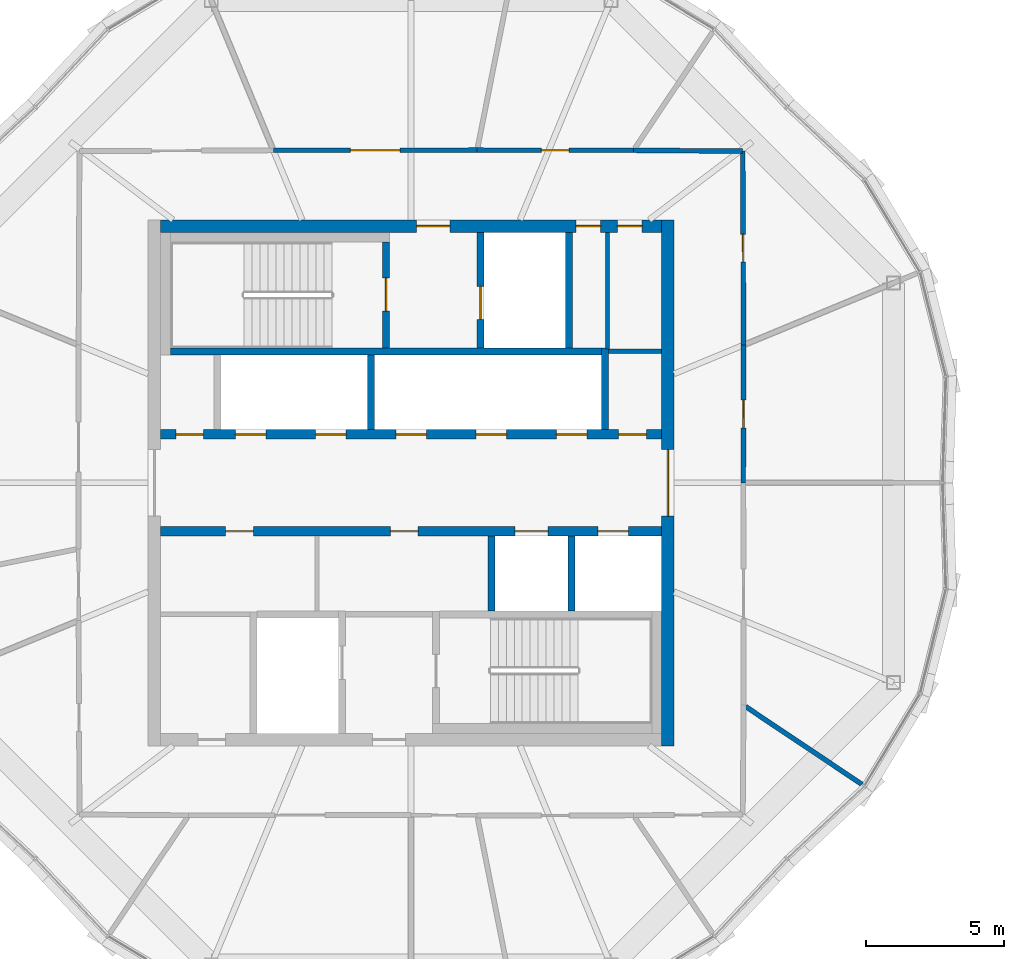
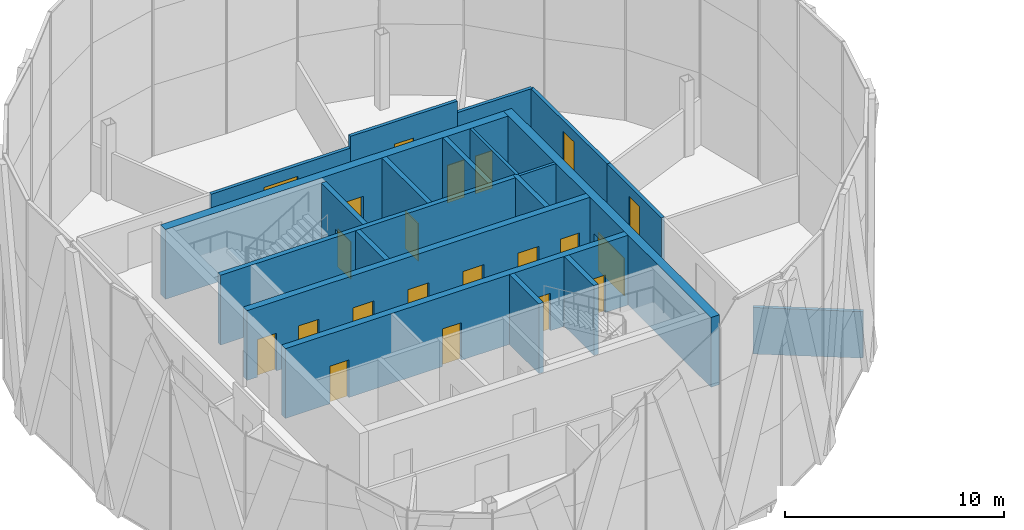
# One storey, part 17 of 23: 21 doors, 20 walls, 21 openings.
"""IFC4 building model written with IfcOpenShell, lengths in metres."""

from ifc_helpers import new_model, si_unit, direction, frame, frame_2d, origin, place, context, subcontext, project, spatial, rectangle, extrude, material, layer, layer_set, type_object, element, fill, save


model = new_model("IFC4")

# Units and contexts
model_context = context("Model", 3, precision=1e-05, world=origin(), true_north=direction((0.0, 1.0)))
body_context = subcontext(model_context, "Body", "Model", "MODEL_VIEW")
ifc_project = project(units=[si_unit("LENGTHUNIT", "METRE"), si_unit("AREAUNIT", "SQUARE_METRE"), si_unit("VOLUMEUNIT", "CUBIC_METRE"), si_unit("PLANEANGLEUNIT", "RADIAN"), si_unit("MASSUNIT", "GRAM", prefix="KILO")], contexts=[model_context])

# Site, building, storey
site_placement = place(None, origin())
site = spatial("IfcSite", under=ifc_project, at=site_placement, CompositionType="ELEMENT")
building_placement = place(site_placement, origin())
building = spatial("IfcBuilding", under=site, at=building_placement, Name="Ogive Gate Towers", CompositionType="ELEMENT")
storey_placement = place(building_placement, frame((0.0, 0.0, 256.199951171875)))
storey = spatial("IfcBuildingStorey", under=building, at=storey_placement, Name="L60", CompositionType="ELEMENT", Elevation=256.199951171875)

# Wall
ifc_material_1 = material(Name="Gypsum board acoustic partition")
ifc_layer_1 = layer(ifc_material_1, 0.175048828125)
ifc_layer_set_1 = layer_set([ifc_layer_1], Name="Acoustic partition 175")
wall_type_1 = type_object("IfcWallType", Name="Acoustic partition 175", PredefinedType="PARTITIONING", material=ifc_layer_set_1)
wall_1_placement = place(storey_placement, frame((-19.708740234375, -10.896484375, 0.0), z_axis=(0.0, 0.0, 1.0), x_axis=(-0.831203340833, 0.555968529854, 0.0)))
element("IfcWall", 1, at=wall_1_placement, inside=storey, type_object=wall_type_1, Name="Partition T1-L60-013", PredefinedType="PARTITIONING", context=body_context, shape_type="SweptSolid", body=[
    extrude(rectangle(XDim=5.061279296875, YDim=0.175048828125, at=frame_2d((2.53076171875, 0.0))), origin(), (0.0, 0.0, 1.0), 2.60009765625),
])

# Wall, opening, door
wall_2_placement = place(storey_placement, frame((-24.0, 0.0, 0.0), z_axis=(0.0, 0.0, 1.0), x_axis=(0.002306289563, 0.999997340511, 0.0)))
wall_2 = element("IfcWall", 2, at=wall_2_placement, inside=storey, type_object=wall_type_1, Name="Partition T1-L60-019", PredefinedType="PARTITIONING", context=body_context, shape_type="SweptSolid", body=[
    extrude(rectangle(XDim=4.975341796875, YDim=0.175048828125, at=frame_2d((2.48779296875, 0.0))), origin(), (0.0, 0.0, 1.0), 2.699951171875),
])
opening_1_placement = place(wall_2_placement, frame((1.988037109375, 0.0, 0.0)))
opening_1 = element("IfcOpeningElement", 3, at=opening_1_placement, cuts=wall_2, Name="Opening T1-L60-D05", PredefinedType="OPENING", context=body_context, shape_type="SweptSolid", body=[
    extrude(rectangle(XDim=1.0, YDim=2.10009765625, at=frame_2d((0.5, 1.050048828125))), frame((0.0, 0.09765625, 0.0), z_axis=(0.0, -1.0, 0.0), x_axis=(1.0, 0.0, 0.0)), (0.0, 0.0, 1.0), 0.195068359375),
])
ifc_material_2 = material(Name="Timber door", Category="wood")
door_type_1 = type_object("IfcDoorType", Name="Door 1000", OperationType="NOTDEFINED", PredefinedType="DOOR", material=ifc_material_2)
door_1_placement = place(opening_1_placement, origin())
door_1 = element("IfcDoor", 4, at=door_1_placement, inside=storey, type_object=door_type_1, Name="Door T1-L60-D05", OperationType="SINGLE_SWING_RIGHT", OverallHeight=2.10009765625, OverallWidth=1.0, PredefinedType="DOOR", context=body_context, shape_type="SweptSolid", body=[
    extrude(rectangle(XDim=1.0, YDim=2.10009765625, at=frame_2d((0.5, 1.050048828125))), frame((0.0, 0.02490234375, 0.0), z_axis=(0.0, -1.0, 0.0), x_axis=(1.0, 0.0, 0.0)), (0.0, 0.0, 1.0), 0.050048828125),
])
fill(opening_1, door_1)

wall_3_placement = place(storey_placement, frame((-23.988525390625, 4.975341796875, 0.0), z_axis=(0.0, 0.0, 1.0), x_axis=(-0.004496138026, 0.99998989232, 0.0)))
wall_3 = element("IfcWall", 5, at=wall_3_placement, inside=storey, type_object=wall_type_1, Name="Partition T1-L60-020", PredefinedType="PARTITIONING", context=body_context, shape_type="SweptSolid", body=[
    extrude(rectangle(XDim=7.004638671875, YDim=0.175048828125, at=frame_2d((3.50244140625, 0.0))), origin(), (0.0, 0.0, 1.0), 2.699951171875),
])
opening_2_placement = place(wall_3_placement, frame((3.001953125, 0.0, 0.0)))
opening_2 = element("IfcOpeningElement", 6, at=opening_2_placement, cuts=wall_3, Name="Opening T1-L60-D06", PredefinedType="OPENING", context=body_context, shape_type="SweptSolid", body=[
    extrude(rectangle(XDim=1.0, YDim=2.10009765625, at=frame_2d((0.5, 1.050048828125))), frame((0.0, 0.09765625, 0.0), z_axis=(0.0, -1.0, 0.0), x_axis=(1.0, 0.0, 0.0)), (0.0, 0.0, 1.0), 0.195068359375),
])
door_2_placement = place(opening_2_placement, origin())
door_2 = element("IfcDoor", 7, at=door_2_placement, inside=storey, type_object=door_type_1, Name="Door T1-L60-D06", OperationType="SINGLE_SWING_LEFT", OverallHeight=2.10009765625, OverallWidth=1.0, PredefinedType="DOOR", context=body_context, shape_type="SweptSolid", body=[
    extrude(rectangle(XDim=1.0, YDim=2.10009765625, at=frame_2d((0.5, 1.050048828125))), frame((0.0, 0.02490234375, 0.0), z_axis=(0.0, -1.0, 0.0), x_axis=(1.0, 0.0, 0.0)), (0.0, 0.0, 1.0), 0.050048828125),
])
fill(opening_2, door_2)

# Wall
wall_4_placement = place(storey_placement, frame((-24.02001953125, 11.97998046875, 0.0), z_axis=(0.0, 0.0, 1.0), x_axis=(-0.999968151812, 0.007980937424, 0.0)))
element("IfcWall", 8, at=wall_4_placement, inside=storey, type_object=wall_type_1, Name="Partition T1-L60-021", PredefinedType="PARTITIONING", context=body_context, shape_type="SweptSolid", body=[
    extrude(rectangle(XDim=3.9462890625, YDim=0.175048828125, at=frame_2d((1.97314453125, 0.0))), origin(), (0.0, 0.0, 1.0), 2.699951171875),
])

# Wall, opening, door
wall_5_placement = place(storey_placement, frame((-27.966064453125, 12.011474609375, 0.0), z_axis=(0.0, 0.0, 1.0), x_axis=(-0.999999626489, 0.000864303912, 0.0)))
wall_5 = element("IfcWall", 9, at=wall_5_placement, inside=storey, type_object=wall_type_1, Name="Partition T1-L60-022", PredefinedType="PARTITIONING", context=body_context, shape_type="SweptSolid", body=[
    extrude(rectangle(XDim=5.6494140625, YDim=0.175048828125, at=frame_2d((2.82470703125, 0.0))), origin(), (0.0, 0.0, 1.0), 3.35009765625),
])
opening_3_placement = place(wall_5_placement, frame((2.324951171875, 0.0, 0.0)))
opening_3 = element("IfcOpeningElement", 10, at=opening_3_placement, cuts=wall_5, Name="Opening T1-L60-D07", PredefinedType="OPENING", context=body_context, shape_type="SweptSolid", body=[
    extrude(rectangle(XDim=1.0, YDim=2.10009765625, at=frame_2d((0.5, 1.050048828125))), frame((0.0, 0.09765625, 0.0), z_axis=(0.0, -1.0, 0.0), x_axis=(1.0, 0.0, 0.0)), (0.0, 0.0, 1.0), 0.195068359375),
])
door_3_placement = place(opening_3_placement, origin())
door_3 = element("IfcDoor", 11, at=door_3_placement, inside=storey, type_object=door_type_1, Name="Door T1-L60-D07", OperationType="SINGLE_SWING_LEFT", OverallHeight=2.10009765625, OverallWidth=1.0, PredefinedType="DOOR", context=body_context, shape_type="SweptSolid", body=[
    extrude(rectangle(XDim=1.0, YDim=2.10009765625, at=frame_2d((0.5, 1.050048828125))), frame((0.0, 0.02490234375, 0.0), z_axis=(0.0, -1.0, 0.0), x_axis=(1.0, 0.0, 0.0)), (0.0, 0.0, 1.0), 0.050048828125),
])
fill(opening_3, door_3)

wall_6_placement = place(storey_placement, frame((-33.615478515625, 12.016357421875, 0.0), z_axis=(0.0, 0.0, 1.0), x_axis=(-0.999999779925, -0.000663437789, 0.0)))
wall_6 = element("IfcWall", 12, at=wall_6_placement, inside=storey, type_object=wall_type_1, Name="Partition T1-L60-023", PredefinedType="PARTITIONING", context=body_context, shape_type="SweptSolid", body=[
    extrude(rectangle(XDim=7.35986328125, YDim=0.175048828125, at=frame_2d((3.679931640625, 0.0))), origin(), (0.0, 0.0, 1.0), 2.699951171875),
])
opening_4_placement = place(wall_6_placement, frame((2.780029296875, 0.0, 0.0)))
opening_4 = element("IfcOpeningElement", 13, at=opening_4_placement, cuts=wall_6, Name="Opening T1-L60-D08", PredefinedType="OPENING", context=body_context, shape_type="SweptSolid", body=[
    extrude(rectangle(XDim=1.800048828125, YDim=2.10009765625, at=frame_2d((0.89990234375, 1.050048828125))), frame((0.0, 0.09765625, 0.0), z_axis=(0.0, -1.0, 0.0), x_axis=(1.0, 0.0, 0.0)), (0.0, 0.0, 1.0), 0.195068359375),
])
door_type_2 = type_object("IfcDoorType", Name="Door pair 1800", OperationType="NOTDEFINED", PredefinedType="DOOR", material=ifc_material_2)
door_4_placement = place(opening_4_placement, origin())
door_4 = element("IfcDoor", 14, at=door_4_placement, inside=storey, type_object=door_type_2, Name="Door T1-L60-D08", OperationType="DOUBLE_DOOR_DOUBLE_SWING", OverallHeight=2.10009765625, OverallWidth=1.800048828125, PredefinedType="DOOR", context=body_context, shape_type="SweptSolid", body=[
    extrude(rectangle(XDim=1.800048828125, YDim=2.10009765625, at=frame_2d((0.89990234375, 1.050048828125))), frame((0.0, 0.02490234375, 0.0), z_axis=(0.0, -1.0, 0.0), x_axis=(1.0, 0.0, 0.0)), (0.0, 0.0, 1.0), 0.050048828125),
])
fill(opening_4, door_4)

# Wall, openings, doors
ifc_material_3 = material(Name="Concrete C60/75", Category="concrete")
ifc_layer_2 = layer(ifc_material_3, 0.449951171875)
ifc_layer_set_2 = layer_set([ifc_layer_2], Name="Core wall 450 mm")
wall_type_2 = type_object("IfcWallType", Name="Core wall 450 mm", PredefinedType="SHEAR", material=ifc_layer_set_2)
wall_7_placement = place(storey_placement, frame((-45.050048828125, 9.27490234375, 0.0), z_axis=(0.0, 0.0, 1.0), x_axis=(1.0, 0.0, 0.0)))
wall_7 = element("IfcWall", 15, at=wall_7_placement, inside=storey, type_object=wall_type_2, Name="T1 L60 Core wall 450 mm", PredefinedType="SHEAR", context=body_context, shape_type="SweptSolid", body=[
    extrude(rectangle(XDim=18.10009765625, YDim=0.449951171875, at=frame_2d((9.050048828125, 0.0))), origin(), (0.0, 0.0, 1.0), 3.900146484375),
])
opening_5_placement = place(wall_7_placement, frame((9.25, 0.0, 0.0)))
opening_5 = element("IfcOpeningElement", 16, at=opening_5_placement, cuts=wall_7, Name="Opening KD-T1-L60-18", PredefinedType="OPENING", context=body_context, shape_type="SweptSolid", body=[
    extrude(rectangle(XDim=1.199951171875, YDim=2.10009765625, at=frame_2d((0.60009765625, 1.050048828125))), frame((0.0, 0.23486328125, 0.0), z_axis=(0.0, -1.0, 0.0), x_axis=(1.0, 0.0, 0.0)), (0.0, 0.0, 1.0), 0.469970703125),
])
opening_6_placement = place(wall_7_placement, frame((15.0, 0.0, 0.0)))
opening_6 = element("IfcOpeningElement", 17, at=opening_6_placement, cuts=wall_7, Name="Opening KD-T1-L60-20", PredefinedType="OPENING", context=body_context, shape_type="SweptSolid", body=[
    extrude(rectangle(XDim=0.89990234375, YDim=2.10009765625, at=frame_2d((0.449951171875, 1.050048828125))), frame((0.0, 0.23486328125, 0.0), z_axis=(0.0, -1.0, 0.0), x_axis=(1.0, 0.0, 0.0)), (0.0, 0.0, 1.0), 0.469970703125),
])
opening_7_placement = place(wall_7_placement, frame((16.5, 0.0, 0.0)))
opening_7 = element("IfcOpeningElement", 18, at=opening_7_placement, cuts=wall_7, Name="Opening KD-T1-L60-21", PredefinedType="OPENING", context=body_context, shape_type="SweptSolid", body=[
    extrude(rectangle(XDim=0.89990234375, YDim=2.10009765625, at=frame_2d((0.449951171875, 1.050048828125))), frame((0.0, 0.23486328125, 0.0), z_axis=(0.0, -1.0, 0.0), x_axis=(1.0, 0.0, 0.0)), (0.0, 0.0, 1.0), 0.469970703125),
])
door_type_3 = type_object("IfcDoorType", Name="Core WC door 900 x 2100", OperationType="NOTDEFINED", PredefinedType="DOOR", material=ifc_material_2)
door_5_placement = place(opening_6_placement, origin())
door_5 = element("IfcDoor", 19, at=door_5_placement, inside=storey, type_object=door_type_3, Name="T1 L60 Core door", OperationType="SINGLE_SWING_LEFT", OverallHeight=2.10009765625, OverallWidth=0.89990234375, PredefinedType="DOOR", context=body_context, shape_type="SweptSolid", body=[
    extrude(rectangle(XDim=0.89990234375, YDim=2.10009765625, at=frame_2d((0.449951171875, 1.050048828125))), frame((0.0, 0.02490234375, 0.0), z_axis=(0.0, -1.0, 0.0), x_axis=(1.0, 0.0, 0.0)), (0.0, 0.0, 1.0), 0.050048828125),
])
fill(opening_6, door_5)
door_6_placement = place(opening_7_placement, origin())
door_6 = element("IfcDoor", 20, at=door_6_placement, inside=storey, type_object=door_type_3, Name="T1 L60 Core door", OperationType="SINGLE_SWING_RIGHT", OverallHeight=2.10009765625, OverallWidth=0.89990234375, PredefinedType="DOOR", context=body_context, shape_type="SweptSolid", body=[
    extrude(rectangle(XDim=0.89990234375, YDim=2.10009765625, at=frame_2d((0.449951171875, 1.050048828125))), frame((0.0, 0.02490234375, 0.0), z_axis=(0.0, -1.0, 0.0), x_axis=(1.0, 0.0, 0.0)), (0.0, 0.0, 1.0), 0.050048828125),
])
fill(opening_7, door_6)
ifc_material_4 = material(Name="Steel fire door", Category="steel")
door_type_4 = type_object("IfcDoorType", Name="Core door FD60S 1200 x 2100", OperationType="NOTDEFINED", PredefinedType="DOOR", material=ifc_material_4)
door_7_placement = place(opening_5_placement, origin())
door_7 = element("IfcDoor", 21, at=door_7_placement, inside=storey, type_object=door_type_4, Name="T1 L60 Fire-fighting lobby door", OperationType="SINGLE_SWING_LEFT", OverallHeight=2.10009765625, OverallWidth=1.199951171875, PredefinedType="DOOR", context=body_context, shape_type="SweptSolid", body=[
    extrude(rectangle(XDim=1.199951171875, YDim=2.10009765625, at=frame_2d((0.60009765625, 1.050048828125))), frame((0.0, 0.02490234375, 0.0), z_axis=(0.0, -1.0, 0.0), x_axis=(1.0, 0.0, 0.0)), (0.0, 0.0, 1.0), 0.050048828125),
])
fill(opening_5, door_7)

# Wall, opening, door
wall_8_placement = place(storey_placement, frame((-26.72509765625, -9.5, 0.0), z_axis=(0.0, 0.0, 1.0), x_axis=(0.0, 1.0, 0.0)))
wall_8 = element("IfcWall", 22, at=wall_8_placement, inside=storey, type_object=wall_type_2, Name="T1 L60 Core wall 450 mm", PredefinedType="SHEAR", context=body_context, shape_type="SweptSolid", body=[
    extrude(rectangle(XDim=19.0, YDim=0.449951171875, at=frame_2d((9.5, 0.0))), origin(), (0.0, 0.0, 1.0), 3.900146484375),
])
opening_8_placement = place(wall_8_placement, frame((8.300048828125, 0.0, 0.0)))
opening_8 = element("IfcOpeningElement", 23, at=opening_8_placement, cuts=wall_8, Name="Opening KD-T1-L60-02", PredefinedType="OPENING", context=body_context, shape_type="SweptSolid", body=[
    extrude(rectangle(XDim=2.39990234375, YDim=2.10009765625, at=frame_2d((1.199951171875, 1.050048828125))), frame((0.0, 0.23486328125, 0.0), z_axis=(0.0, -1.0, 0.0), x_axis=(1.0, 0.0, 0.0)), (0.0, 0.0, 1.0), 0.469970703125),
])
door_type_5 = type_object("IfcDoorType", Name="Core double door FD60S 2400 x 2100", OperationType="DOUBLE_DOOR_SINGLE_SWING", PredefinedType="DOOR", material=ifc_material_4)
door_8_placement = place(opening_8_placement, origin())
door_8 = element("IfcDoor", 24, at=door_8_placement, inside=storey, type_object=door_type_5, Name="T1 L60 Core door double", OperationType="DOUBLE_DOOR_SINGLE_SWING", OverallHeight=2.10009765625, OverallWidth=2.39990234375, PredefinedType="DOOR", context=body_context, shape_type="SweptSolid", body=[
    extrude(rectangle(XDim=2.39990234375, YDim=2.10009765625, at=frame_2d((1.199951171875, 1.050048828125))), frame((0.0, 0.02490234375, 0.0), z_axis=(0.0, -1.0, 0.0), x_axis=(1.0, 0.0, 0.0)), (0.0, 0.0, 1.0), 0.050048828125),
])
fill(opening_8, door_8)

# Walls
ifc_material_5 = material(Name="Gypsum board partition")
ifc_layer_3 = layer(ifc_material_5, 0.14990234375)
ifc_layer_set_3 = layer_set([ifc_layer_3], Name="Room partition 150 mm")
wall_type_3 = type_object("IfcWallType", Name="Room partition 150 mm", PredefinedType="PARTITIONING", material=ifc_layer_set_3)
wall_9_placement = place(storey_placement, frame((-28.875, 4.75, 0.0), z_axis=(0.0, 0.0, 1.0), x_axis=(1.0, 0.0, 0.0)))
element("IfcWall", 25, at=wall_9_placement, inside=storey, type_object=wall_type_3, Name="T1 L60 Room partition 150 mm", PredefinedType="PARTITIONING", context=body_context, shape_type="SweptSolid", body=[
    extrude(rectangle(XDim=1.925048828125, YDim=0.14990234375, at=frame_2d((0.96240234375, 0.0))), origin(), (0.0, 0.0, 1.0), 3.900146484375),
])
wall_10_placement = place(storey_placement, frame((-28.89990234375, 4.824951171875, 0.0), z_axis=(0.0, 0.0, 1.0), x_axis=(0.0, 1.0, 0.0)))
element("IfcWall", 26, at=wall_10_placement, inside=storey, type_object=wall_type_3, Name="T1 L60 Room partition 150 mm", PredefinedType="PARTITIONING", context=body_context, shape_type="SweptSolid", body=[
    extrude(rectangle(XDim=4.22509765625, YDim=0.14990234375, at=frame_2d((2.112548828125, 0.0))), origin(), (0.0, 0.0, 1.0), 3.900146484375),
])
ifc_layer_4 = layer(ifc_material_3, 0.25)
ifc_layer_set_4 = layer_set([ifc_layer_4], Name="Shaft wall 250 mm")
wall_type_4 = type_object("IfcWallType", Name="Shaft wall 250 mm", PredefinedType="SHEAR", material=ifc_layer_set_4)
wall_11_placement = place(storey_placement, frame((-44.699951171875, 4.75, 0.0), z_axis=(0.0, 0.0, 1.0), x_axis=(1.0, 0.0, 0.0)))
element("IfcWall", 27, at=wall_11_placement, inside=storey, type_object=wall_type_4, Name="T1 L60 Shaft wall 250 mm", PredefinedType="SHEAR", context=body_context, shape_type="SweptSolid", body=[
    extrude(rectangle(XDim=15.574951171875, YDim=0.25, at=frame_2d((7.78759765625, 0.0))), origin(), (0.0, 0.0, 1.0), 3.900146484375),
])
wall_12_placement = place(storey_placement, frame((-37.449951171875, 1.925048828125, 0.0), z_axis=(0.0, 0.0, 1.0), x_axis=(0.0, 1.0, 0.0)))
element("IfcWall", 28, at=wall_12_placement, inside=storey, type_object=wall_type_4, Name="T1 L60 Shaft wall 250 mm", PredefinedType="SHEAR", context=body_context, shape_type="SweptSolid", body=[
    extrude(rectangle(XDim=2.699951171875, YDim=0.25, at=frame_2d((1.35009765625, 0.0))), origin(), (0.0, 0.0, 1.0), 3.900146484375),
])

# Wall, opening, door
wall_13_placement = place(storey_placement, frame((-36.89990234375, 4.875, 0.0), z_axis=(0.0, 0.0, 1.0), x_axis=(0.0, 1.0, 0.0)))
wall_13 = element("IfcWall", 29, at=wall_13_placement, inside=storey, type_object=wall_type_4, Name="T1 L60 Shaft wall 250 mm", PredefinedType="SHEAR", context=body_context, shape_type="SweptSolid", body=[
    extrude(rectangle(XDim=3.824951171875, YDim=0.25, at=frame_2d((1.91259765625, 0.0))), origin(), (0.0, 0.0, 1.0), 3.900146484375),
])
opening_9_placement = place(wall_13_placement, frame((1.324951171875, 0.0, 0.0)))
opening_9 = element("IfcOpeningElement", 30, at=opening_9_placement, cuts=wall_13, Name="Opening KD-T1-L60-16", PredefinedType="OPENING", context=body_context, shape_type="SweptSolid", body=[
    extrude(rectangle(XDim=1.199951171875, YDim=2.10009765625, at=frame_2d((0.60009765625, 1.050048828125))), frame((0.0, 0.135009765625, 0.0), z_axis=(0.0, -1.0, 0.0), x_axis=(1.0, 0.0, 0.0)), (0.0, 0.0, 1.0), 0.27001953125),
])
door_9_placement = place(opening_9_placement, origin())
door_9 = element("IfcDoor", 31, at=door_9_placement, inside=storey, type_object=door_type_4, Name="T1 L60 Stair door", OperationType="SINGLE_SWING_LEFT", OverallHeight=2.10009765625, OverallWidth=1.199951171875, PredefinedType="DOOR", context=body_context, shape_type="SweptSolid", body=[
    extrude(rectangle(XDim=1.199951171875, YDim=2.10009765625, at=frame_2d((0.60009765625, 1.050048828125))), frame((0.0, 0.02490234375, 0.0), z_axis=(0.0, -1.0, 0.0), x_axis=(1.0, 0.0, 0.0)), (0.0, 0.0, 1.0), 0.050048828125),
])
fill(opening_9, door_9)

wall_14_placement = place(storey_placement, frame((-33.5, 4.875, 0.0), z_axis=(0.0, 0.0, 1.0), x_axis=(0.0, 1.0, 0.0)))
wall_14 = element("IfcWall", 32, at=wall_14_placement, inside=storey, type_object=wall_type_4, Name="T1 L60 Shaft wall 250 mm", PredefinedType="SHEAR", context=body_context, shape_type="SweptSolid", body=[
    extrude(rectangle(XDim=4.175048828125, YDim=0.25, at=frame_2d((2.08740234375, 0.0))), origin(), (0.0, 0.0, 1.0), 3.900146484375),
])
opening_10_placement = place(wall_14_placement, frame((1.02490234375, 0.0, 0.0)))
opening_10 = element("IfcOpeningElement", 33, at=opening_10_placement, cuts=wall_14, Name="Opening LD-T1-L60-12", PredefinedType="OPENING", context=body_context, shape_type="SweptSolid", body=[
    extrude(rectangle(XDim=1.199951171875, YDim=2.10009765625, at=frame_2d((0.60009765625, 1.050048828125))), frame((0.0, 0.135009765625, 0.0), z_axis=(0.0, -1.0, 0.0), x_axis=(1.0, 0.0, 0.0)), (0.0, 0.0, 1.0), 0.27001953125),
])
ifc_material_6 = material(Name="Stainless steel landing door", Category="steel")
door_type_6 = type_object("IfcDoorType", Name="Landing door 1200 x 2100", OperationType="SLIDING_TO_LEFT", PredefinedType="DOOR", material=ifc_material_6)
door_10_placement = place(opening_10_placement, origin())
door_10 = element("IfcDoor", 34, at=door_10_placement, inside=storey, type_object=door_type_6, Name="T1 L60 Lift landing door FF1", OperationType="SLIDING_TO_LEFT", OverallHeight=2.10009765625, OverallWidth=1.199951171875, PredefinedType="DOOR", context=body_context, shape_type="SweptSolid", body=[
    extrude(rectangle(XDim=1.199951171875, YDim=2.10009765625, at=frame_2d((0.60009765625, 1.050048828125))), frame((0.0, 0.02490234375, 0.0), z_axis=(0.0, -1.0, 0.0), x_axis=(1.0, 0.0, 0.0)), (0.0, 0.0, 1.0), 0.050048828125),
])
fill(opening_10, door_10)

# Walls
wall_15_placement = place(storey_placement, frame((-33.10009765625, -4.625, 0.0), z_axis=(0.0, 0.0, 1.0), x_axis=(0.0, 1.0, 0.0)))
element("IfcWall", 35, at=wall_15_placement, inside=storey, type_object=wall_type_4, Name="T1 L60 Shaft wall 250 mm", PredefinedType="SHEAR", context=body_context, shape_type="SweptSolid", body=[
    extrude(rectangle(XDim=2.699951171875, YDim=0.25, at=frame_2d((1.35009765625, 0.0))), origin(), (0.0, 0.0, 1.0), 3.900146484375),
])
wall_16_placement = place(storey_placement, frame((-30.300048828125, 4.875, 0.0), z_axis=(0.0, 0.0, 1.0), x_axis=(0.0, 1.0, 0.0)))
element("IfcWall", 36, at=wall_16_placement, inside=storey, type_object=wall_type_4, Name="T1 L60 Shaft wall 250 mm", PredefinedType="SHEAR", context=body_context, shape_type="SweptSolid", body=[
    extrude(rectangle(XDim=4.175048828125, YDim=0.25, at=frame_2d((2.08740234375, 0.0))), origin(), (0.0, 0.0, 1.0), 3.900146484375),
])
wall_17_placement = place(storey_placement, frame((-30.199951171875, -4.625, 0.0), z_axis=(0.0, 0.0, 1.0), x_axis=(0.0, 1.0, 0.0)))
element("IfcWall", 37, at=wall_17_placement, inside=storey, type_object=wall_type_4, Name="T1 L60 Shaft wall 250 mm", PredefinedType="SHEAR", context=body_context, shape_type="SweptSolid", body=[
    extrude(rectangle(XDim=2.699951171875, YDim=0.25, at=frame_2d((1.35009765625, 0.0))), origin(), (0.0, 0.0, 1.0), 3.900146484375),
])
wall_18_placement = place(storey_placement, frame((-29.0, 1.925048828125, 0.0), z_axis=(0.0, 0.0, 1.0), x_axis=(0.0, 1.0, 0.0)))
element("IfcWall", 38, at=wall_18_placement, inside=storey, type_object=wall_type_4, Name="T1 L60 Shaft wall 250 mm", PredefinedType="SHEAR", context=body_context, shape_type="SweptSolid", body=[
    extrude(rectangle(XDim=2.949951171875, YDim=0.25, at=frame_2d((1.47509765625, 0.0))), origin(), (0.0, 0.0, 1.0), 3.900146484375),
])

# Wall, openings, doors
ifc_layer_5 = layer(ifc_material_3, 0.35009765625)
ifc_layer_set_5 = layer_set([ifc_layer_5], Name="Spine wall 350 mm")
wall_type_5 = type_object("IfcWallType", Name="Spine wall 350 mm", PredefinedType="SHEAR", material=ifc_layer_set_5)
wall_19_placement = place(storey_placement, frame((-45.050048828125, -1.75, 0.0), z_axis=(0.0, 0.0, 1.0), x_axis=(1.0, 0.0, 0.0)))
wall_19 = element("IfcWall", 39, at=wall_19_placement, inside=storey, type_object=wall_type_5, Name="T1 L60 Spine wall 350 mm", PredefinedType="SHEAR", context=body_context, shape_type="SweptSolid", body=[
    extrude(rectangle(XDim=18.10009765625, YDim=0.35009765625, at=frame_2d((9.050048828125, 0.0))), origin(), (0.0, 0.0, 1.0), 3.900146484375),
])
opening_11_placement = place(wall_19_placement, frame((12.800048828125, 0.0, 0.0)))
opening_11 = element("IfcOpeningElement", 40, at=opening_11_placement, cuts=wall_19, Name="Opening LD-T1-L60-10", PredefinedType="OPENING", context=body_context, shape_type="SweptSolid", body=[
    extrude(rectangle(XDim=1.199951171875, YDim=2.10009765625, at=frame_2d((0.60009765625, 1.050048828125))), frame((0.0, 0.18505859375, 0.0), z_axis=(0.0, -1.0, 0.0), x_axis=(1.0, 0.0, 0.0)), (0.0, 0.0, 1.0), 0.3701171875),
])
opening_12_placement = place(wall_19_placement, frame((15.800048828125, 0.0, 0.0)))
opening_12 = element("IfcOpeningElement", 41, at=opening_12_placement, cuts=wall_19, Name="Opening LD-T1-L60-11", PredefinedType="OPENING", context=body_context, shape_type="SweptSolid", body=[
    extrude(rectangle(XDim=1.10009765625, YDim=2.10009765625, at=frame_2d((0.550048828125, 1.050048828125))), frame((0.0, 0.18505859375, 0.0), z_axis=(0.0, -1.0, 0.0), x_axis=(1.0, 0.0, 0.0)), (0.0, 0.0, 1.0), 0.3701171875),
])
opening_13_placement = place(wall_19_placement, frame((2.35009765625, 0.0, 0.0)))
opening_13 = element("IfcOpeningElement", 42, at=opening_13_placement, cuts=wall_19, Name="Opening KD-T1-L60-14", PredefinedType="OPENING", context=body_context, shape_type="SweptSolid", body=[
    extrude(rectangle(XDim=1.0, YDim=2.10009765625, at=frame_2d((0.5, 1.050048828125))), frame((0.0, 0.18505859375, 0.0), z_axis=(0.0, -1.0, 0.0), x_axis=(1.0, 0.0, 0.0)), (0.0, 0.0, 1.0), 0.3701171875),
])
opening_14_placement = place(wall_19_placement, frame((8.300048828125, 0.0, 0.0)))
opening_14 = element("IfcOpeningElement", 43, at=opening_14_placement, cuts=wall_19, Name="Opening KD-T1-L60-15", PredefinedType="OPENING", context=body_context, shape_type="SweptSolid", body=[
    extrude(rectangle(XDim=1.0, YDim=2.10009765625, at=frame_2d((0.5, 1.050048828125))), frame((0.0, 0.18505859375, 0.0), z_axis=(0.0, -1.0, 0.0), x_axis=(1.0, 0.0, 0.0)), (0.0, 0.0, 1.0), 0.3701171875),
])
door_type_7 = type_object("IfcDoorType", Name="Core door FD60S 1000 x 2100", OperationType="NOTDEFINED", PredefinedType="DOOR", material=ifc_material_4)
door_11_placement = place(opening_13_placement, origin())
door_11 = element("IfcDoor", 44, at=door_11_placement, inside=storey, type_object=door_type_7, Name="T1 L60 Core door", OperationType="SINGLE_SWING_LEFT", OverallHeight=2.10009765625, OverallWidth=1.0, PredefinedType="DOOR", context=body_context, shape_type="SweptSolid", body=[
    extrude(rectangle(XDim=1.0, YDim=2.10009765625, at=frame_2d((0.5, 1.050048828125))), frame((0.0, 0.02490234375, 0.0), z_axis=(0.0, -1.0, 0.0), x_axis=(1.0, 0.0, 0.0)), (0.0, 0.0, 1.0), 0.050048828125),
])
fill(opening_13, door_11)
door_12_placement = place(opening_14_placement, origin())
door_12 = element("IfcDoor", 45, at=door_12_placement, inside=storey, type_object=door_type_7, Name="T1 L60 Core door", OperationType="SINGLE_SWING_RIGHT", OverallHeight=2.10009765625, OverallWidth=1.0, PredefinedType="DOOR", context=body_context, shape_type="SweptSolid", body=[
    extrude(rectangle(XDim=1.0, YDim=2.10009765625, at=frame_2d((0.5, 1.050048828125))), frame((0.0, 0.02490234375, 0.0), z_axis=(0.0, -1.0, 0.0), x_axis=(1.0, 0.0, 0.0)), (0.0, 0.0, 1.0), 0.050048828125),
])
fill(opening_14, door_12)
door_type_8 = type_object("IfcDoorType", Name="Landing door 1100 x 2100", OperationType="SLIDING_TO_LEFT", PredefinedType="DOOR", material=ifc_material_6)
door_13_placement = place(opening_12_placement, origin())
door_13 = element("IfcDoor", 46, at=door_13_placement, inside=storey, type_object=door_type_8, Name="T1 L60 Lift landing door B6", OperationType="SLIDING_TO_LEFT", OverallHeight=2.10009765625, OverallWidth=1.10009765625, PredefinedType="DOOR", context=body_context, shape_type="SweptSolid", body=[
    extrude(rectangle(XDim=1.10009765625, YDim=2.10009765625, at=frame_2d((0.550048828125, 1.050048828125))), frame((0.0, 0.02490234375, 0.0), z_axis=(0.0, -1.0, 0.0), x_axis=(1.0, 0.0, 0.0)), (0.0, 0.0, 1.0), 0.050048828125),
])
fill(opening_12, door_13)
door_14_placement = place(opening_11_placement, origin())
door_14 = element("IfcDoor", 47, at=door_14_placement, inside=storey, type_object=door_type_6, Name="T1 L60 Lift landing door SVC", OperationType="SLIDING_TO_LEFT", OverallHeight=2.10009765625, OverallWidth=1.199951171875, PredefinedType="DOOR", context=body_context, shape_type="SweptSolid", body=[
    extrude(rectangle(XDim=1.199951171875, YDim=2.10009765625, at=frame_2d((0.60009765625, 1.050048828125))), frame((0.0, 0.02490234375, 0.0), z_axis=(0.0, -1.0, 0.0), x_axis=(1.0, 0.0, 0.0)), (0.0, 0.0, 1.0), 0.050048828125),
])
fill(opening_11, door_14)

wall_20_placement = place(storey_placement, frame((-45.050048828125, 1.75, 0.0), z_axis=(0.0, 0.0, 1.0), x_axis=(1.0, 0.0, 0.0)))
wall_20 = element("IfcWall", 48, at=wall_20_placement, inside=storey, type_object=wall_type_5, Name="T1 L60 Spine wall 350 mm", PredefinedType="SHEAR", context=body_context, shape_type="SweptSolid", body=[
    extrude(rectangle(XDim=18.10009765625, YDim=0.35009765625, at=frame_2d((9.050048828125, 0.0))), origin(), (0.0, 0.0, 1.0), 3.900146484375),
])
opening_15_placement = place(wall_20_placement, frame((0.550048828125, 0.0, 0.0)))
opening_15 = element("IfcOpeningElement", 49, at=opening_15_placement, cuts=wall_20, Name="Opening KD-T1-L60-03", PredefinedType="OPENING", context=body_context, shape_type="SweptSolid", body=[
    extrude(rectangle(XDim=1.0, YDim=2.10009765625, at=frame_2d((0.5, 1.050048828125))), frame((0.0, 0.18505859375, 0.0), z_axis=(0.0, -1.0, 0.0), x_axis=(1.0, 0.0, 0.0)), (0.0, 0.0, 1.0), 0.3701171875),
])
opening_16_placement = place(wall_20_placement, frame((2.699951171875, 0.0, 0.0)))
opening_16 = element("IfcOpeningElement", 50, at=opening_16_placement, cuts=wall_20, Name="Opening LD-T1-L60-04", PredefinedType="OPENING", context=body_context, shape_type="SweptSolid", body=[
    extrude(rectangle(XDim=1.10009765625, YDim=2.10009765625, at=frame_2d((0.550048828125, 1.050048828125))), frame((0.0, 0.18505859375, 0.0), z_axis=(0.0, -1.0, 0.0), x_axis=(1.0, 0.0, 0.0)), (0.0, 0.0, 1.0), 0.3701171875),
])
opening_17_placement = place(wall_20_placement, frame((5.60009765625, 0.0, 0.0)))
opening_17 = element("IfcOpeningElement", 51, at=opening_17_placement, cuts=wall_20, Name="Opening LD-T1-L60-05", PredefinedType="OPENING", context=body_context, shape_type="SweptSolid", body=[
    extrude(rectangle(XDim=1.10009765625, YDim=2.10009765625, at=frame_2d((0.550048828125, 1.050048828125))), frame((0.0, 0.18505859375, 0.0), z_axis=(0.0, -1.0, 0.0), x_axis=(1.0, 0.0, 0.0)), (0.0, 0.0, 1.0), 0.3701171875),
])
opening_18_placement = place(wall_20_placement, frame((8.5, 0.0, 0.0)))
opening_18 = element("IfcOpeningElement", 52, at=opening_18_placement, cuts=wall_20, Name="Opening LD-T1-L60-06", PredefinedType="OPENING", context=body_context, shape_type="SweptSolid", body=[
    extrude(rectangle(XDim=1.10009765625, YDim=2.10009765625, at=frame_2d((0.550048828125, 1.050048828125))), frame((0.0, 0.18505859375, 0.0), z_axis=(0.0, -1.0, 0.0), x_axis=(1.0, 0.0, 0.0)), (0.0, 0.0, 1.0), 0.3701171875),
])
opening_19_placement = place(wall_20_placement, frame((11.39990234375, 0.0, 0.0)))
opening_19 = element("IfcOpeningElement", 53, at=opening_19_placement, cuts=wall_20, Name="Opening LD-T1-L60-07", PredefinedType="OPENING", context=body_context, shape_type="SweptSolid", body=[
    extrude(rectangle(XDim=1.10009765625, YDim=2.10009765625, at=frame_2d((0.550048828125, 1.050048828125))), frame((0.0, 0.18505859375, 0.0), z_axis=(0.0, -1.0, 0.0), x_axis=(1.0, 0.0, 0.0)), (0.0, 0.0, 1.0), 0.3701171875),
])
opening_20_placement = place(wall_20_placement, frame((14.300048828125, 0.0, 0.0)))
opening_20 = element("IfcOpeningElement", 54, at=opening_20_placement, cuts=wall_20, Name="Opening LD-T1-L60-08", PredefinedType="OPENING", context=body_context, shape_type="SweptSolid", body=[
    extrude(rectangle(XDim=1.10009765625, YDim=2.10009765625, at=frame_2d((0.550048828125, 1.050048828125))), frame((0.0, 0.18505859375, 0.0), z_axis=(0.0, -1.0, 0.0), x_axis=(1.0, 0.0, 0.0)), (0.0, 0.0, 1.0), 0.3701171875),
])
opening_21_placement = place(wall_20_placement, frame((16.550048828125, 0.0, 0.0)))
opening_21 = element("IfcOpeningElement", 55, at=opening_21_placement, cuts=wall_20, Name="Opening KD-T1-L60-09", PredefinedType="OPENING", context=body_context, shape_type="SweptSolid", body=[
    extrude(rectangle(XDim=1.0, YDim=2.10009765625, at=frame_2d((0.5, 1.050048828125))), frame((0.0, 0.18505859375, 0.0), z_axis=(0.0, -1.0, 0.0), x_axis=(1.0, 0.0, 0.0)), (0.0, 0.0, 1.0), 0.3701171875),
])
door_15_placement = place(opening_15_placement, origin())
door_15 = element("IfcDoor", 56, at=door_15_placement, inside=storey, type_object=door_type_7, Name="T1 L60 Core door", OperationType="SINGLE_SWING_RIGHT", OverallHeight=2.10009765625, OverallWidth=1.0, PredefinedType="DOOR", context=body_context, shape_type="SweptSolid", body=[
    extrude(rectangle(XDim=1.0, YDim=2.10009765625, at=frame_2d((0.5, 1.050048828125))), frame((0.0, 0.02490234375, 0.0), z_axis=(0.0, -1.0, 0.0), x_axis=(1.0, 0.0, 0.0)), (0.0, 0.0, 1.0), 0.050048828125),
])
fill(opening_15, door_15)
door_16_placement = place(opening_21_placement, origin())
door_16 = element("IfcDoor", 57, at=door_16_placement, inside=storey, type_object=door_type_7, Name="T1 L60 Core door", OperationType="SINGLE_SWING_RIGHT", OverallHeight=2.10009765625, OverallWidth=1.0, PredefinedType="DOOR", context=body_context, shape_type="SweptSolid", body=[
    extrude(rectangle(XDim=1.0, YDim=2.10009765625, at=frame_2d((0.5, 1.050048828125))), frame((0.0, 0.02490234375, 0.0), z_axis=(0.0, -1.0, 0.0), x_axis=(1.0, 0.0, 0.0)), (0.0, 0.0, 1.0), 0.050048828125),
])
fill(opening_21, door_16)
door_17_placement = place(opening_16_placement, origin())
door_17 = element("IfcDoor", 58, at=door_17_placement, inside=storey, type_object=door_type_8, Name="T1 L60 Lift landing door B1", OperationType="SLIDING_TO_LEFT", OverallHeight=2.10009765625, OverallWidth=1.10009765625, PredefinedType="DOOR", context=body_context, shape_type="SweptSolid", body=[
    extrude(rectangle(XDim=1.10009765625, YDim=2.10009765625, at=frame_2d((0.550048828125, 1.050048828125))), frame((0.0, 0.02490234375, 0.0), z_axis=(0.0, -1.0, 0.0), x_axis=(1.0, 0.0, 0.0)), (0.0, 0.0, 1.0), 0.050048828125),
])
fill(opening_16, door_17)
door_18_placement = place(opening_17_placement, origin())
door_18 = element("IfcDoor", 59, at=door_18_placement, inside=storey, type_object=door_type_8, Name="T1 L60 Lift landing door B2", OperationType="SLIDING_TO_LEFT", OverallHeight=2.10009765625, OverallWidth=1.10009765625, PredefinedType="DOOR", context=body_context, shape_type="SweptSolid", body=[
    extrude(rectangle(XDim=1.10009765625, YDim=2.10009765625, at=frame_2d((0.550048828125, 1.050048828125))), frame((0.0, 0.02490234375, 0.0), z_axis=(0.0, -1.0, 0.0), x_axis=(1.0, 0.0, 0.0)), (0.0, 0.0, 1.0), 0.050048828125),
])
fill(opening_17, door_18)
door_19_placement = place(opening_18_placement, origin())
door_19 = element("IfcDoor", 60, at=door_19_placement, inside=storey, type_object=door_type_8, Name="T1 L60 Lift landing door B3", OperationType="SLIDING_TO_LEFT", OverallHeight=2.10009765625, OverallWidth=1.10009765625, PredefinedType="DOOR", context=body_context, shape_type="SweptSolid", body=[
    extrude(rectangle(XDim=1.10009765625, YDim=2.10009765625, at=frame_2d((0.550048828125, 1.050048828125))), frame((0.0, 0.02490234375, 0.0), z_axis=(0.0, -1.0, 0.0), x_axis=(1.0, 0.0, 0.0)), (0.0, 0.0, 1.0), 0.050048828125),
])
fill(opening_18, door_19)
door_20_placement = place(opening_19_placement, origin())
door_20 = element("IfcDoor", 61, at=door_20_placement, inside=storey, type_object=door_type_8, Name="T1 L60 Lift landing door B4", OperationType="SLIDING_TO_LEFT", OverallHeight=2.10009765625, OverallWidth=1.10009765625, PredefinedType="DOOR", context=body_context, shape_type="SweptSolid", body=[
    extrude(rectangle(XDim=1.10009765625, YDim=2.10009765625, at=frame_2d((0.550048828125, 1.050048828125))), frame((0.0, 0.02490234375, 0.0), z_axis=(0.0, -1.0, 0.0), x_axis=(1.0, 0.0, 0.0)), (0.0, 0.0, 1.0), 0.050048828125),
])
fill(opening_19, door_20)
door_21_placement = place(opening_20_placement, origin())
door_21 = element("IfcDoor", 62, at=door_21_placement, inside=storey, type_object=door_type_8, Name="T1 L60 Lift landing door B5", OperationType="SLIDING_TO_LEFT", OverallHeight=2.10009765625, OverallWidth=1.10009765625, PredefinedType="DOOR", context=body_context, shape_type="SweptSolid", body=[
    extrude(rectangle(XDim=1.10009765625, YDim=2.10009765625, at=frame_2d((0.550048828125, 1.050048828125))), frame((0.0, 0.02490234375, 0.0), z_axis=(0.0, -1.0, 0.0), x_axis=(1.0, 0.0, 0.0)), (0.0, 0.0, 1.0), 0.050048828125),
])
fill(opening_20, door_21)

save(model, "model.ifc")
